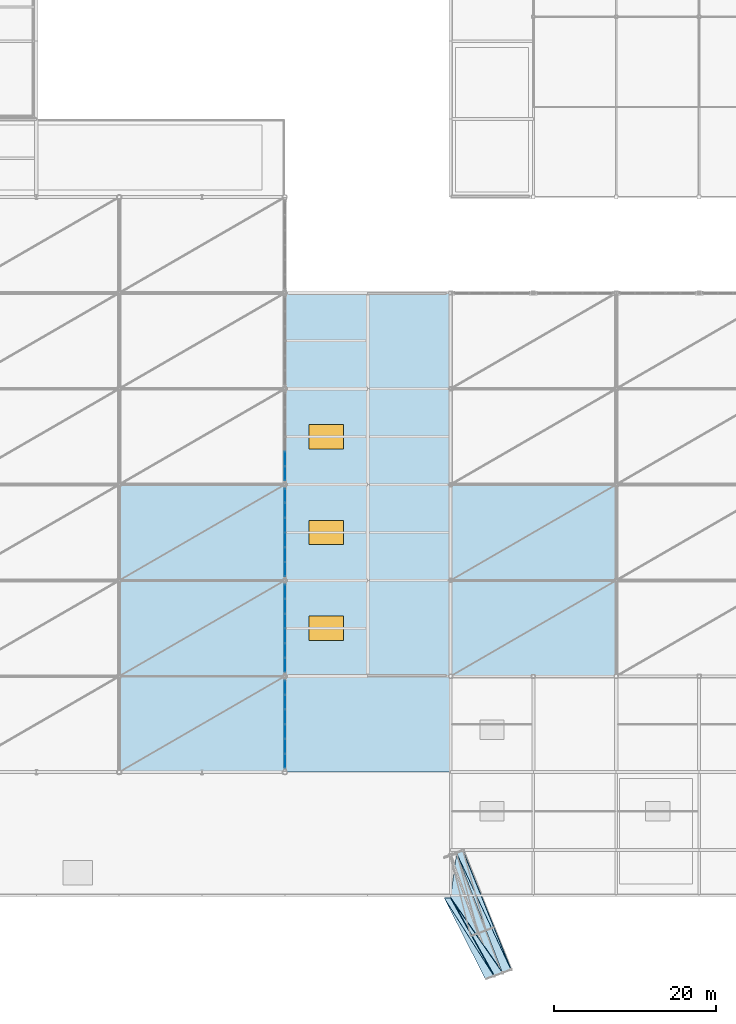
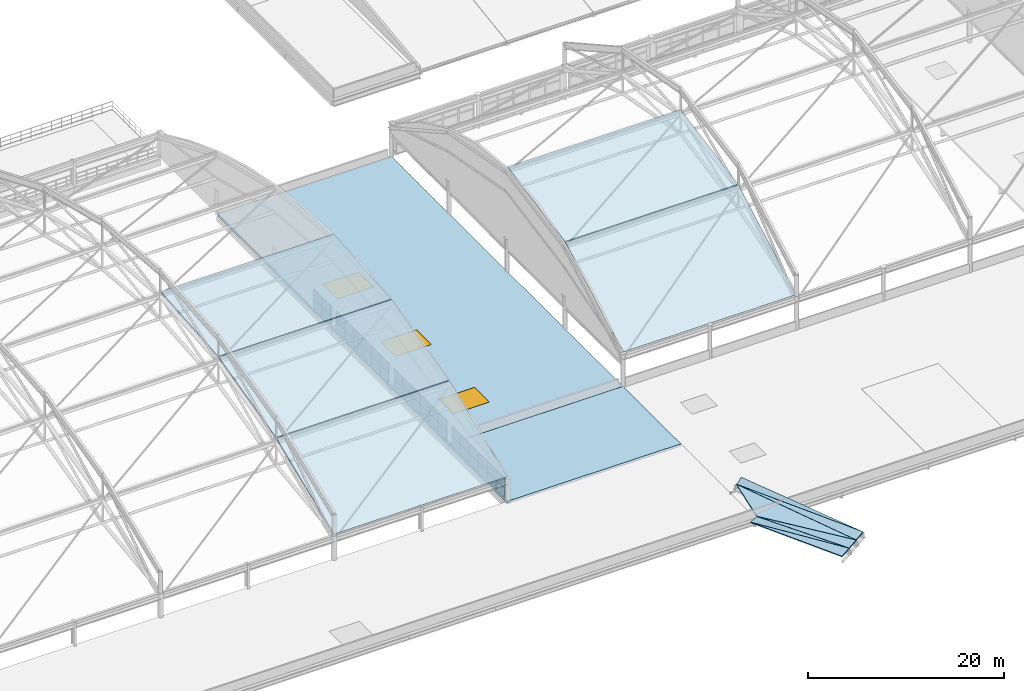
# One storey, part 110 of 135: 40 plates, 13 slabs, 3 windows, 3 openings, 4 elements without a shape of their own.
"""IFC4 building model written with IfcOpenShell, lengths in metres."""

import ifcopenshell
import ifcopenshell.guid

model = None  # the IFC model being written
_history = None  # IfcOwnerHistory: only IFC2X3 demands one
_inside = {}  # id of a spatial element -> (the spatial element, [elements in it])
_under = {}  # id of a project, library or spatial element -> (it, [spatial elements below it])
_declared = {}  # id of a project -> (the project, [libraries it declares])
_typed = {}  # id of a type object -> (the type object, [elements of that type])
_made_of = {}  # id of a material, layer set ... -> (it, [elements and type objects made of it])


def new_model(schema):
    """Start an empty IFC model of exactly this schema.

    Asked for "IFC4X3", IfcOpenShell would pick the latest addendum, in which some entities
    have other attributes; the version numbers below select the first issue.
    IFC2X3 requires an IfcOwnerHistory on every rooted entity: one is made here for all.
    """
    global model, _history
    if schema == "IFC4X3":
        model = ifcopenshell.file(schema_version=(4, 3, 0, 0))
    else:
        model = ifcopenshell.file(schema=schema)
    _inside.clear()
    _under.clear()
    _declared.clear()
    _typed.clear()
    _made_of.clear()
    _history = None
    if model.schema == "IFC2X3":
        org = make("IfcOrganization", Name="unknown")
        user = make(
            "IfcPersonAndOrganization",
            ThePerson=make("IfcPerson", FamilyName="unknown"),
            TheOrganization=org,
        )
        app = make(
            "IfcApplication",
            ApplicationDeveloper=org,
            Version="unknown",
            ApplicationFullName="unknown",
            ApplicationIdentifier="unknown",
        )
        _history = make(
            "IfcOwnerHistory",
            OwningUser=user,
            OwningApplication=app,
            ChangeAction="ADDED",
            CreationDate=0,
        )
    return model


def make(cls, **values):
    """One entity of the class cls with the attributes given. An attribute that is None is left unset."""
    return model.create_entity(
        cls, **{name: value for name, value in values.items() if value is not None}
    )


def rooted(cls, **values):
    """An entity with a GlobalId (a new one), such as an element, a storey or a relation."""
    return make(cls, GlobalId=ifcopenshell.guid.new(), OwnerHistory=_history, **values)


def si_unit(unit_type, name, prefix=None):
    """IfcSIUnit, for example si_unit("LENGTHUNIT", "METRE", prefix="MILLI")."""
    return make("IfcSIUnit", UnitType=unit_type, Prefix=prefix, Name=name)


def assignment(units):
    """IfcUnitAssignment: the units of a project."""
    return None if units is None else make("IfcUnitAssignment", Units=units)


def point(xyz):
    """IfcCartesianPoint."""
    return None if xyz is None else make("IfcCartesianPoint", Coordinates=xyz)


def direction(xyz):
    """IfcDirection."""
    return None if xyz is None else make("IfcDirection", DirectionRatios=xyz)


def frame(location, z_axis=None, x_axis=None):
    """IfcAxis2Placement3D, a coordinate frame: its origin and axes. An axis left out is left unset."""
    return make(
        "IfcAxis2Placement3D",
        Location=point(location),
        Axis=direction(z_axis),
        RefDirection=direction(x_axis),
    )


def frame_2d(location, x_axis=None):
    """IfcAxis2Placement2D, a coordinate frame in the plane: its origin and x axis."""
    return make(
        "IfcAxis2Placement2D", Location=point(location), RefDirection=direction(x_axis)
    )


def origin():
    """The frame at (0, 0, 0) with its axes left unset."""
    return frame((0.0, 0.0, 0.0))


def origin_2d():
    """The frame at (0, 0) in the plane with its x axis left unset."""
    return frame_2d((0.0, 0.0))


def place(relative_to, where):
    """IfcLocalPlacement: puts the frame where relative to a parent placement (None: the world)."""
    return make(
        "IfcLocalPlacement", PlacementRelTo=relative_to, RelativePlacement=where
    )


def context(
    kind, dimensions, precision=None, world=None, true_north=None, identifier=None
):
    """IfcGeometricRepresentationContext, for example the 3D "Model" context."""
    return make(
        "IfcGeometricRepresentationContext",
        ContextIdentifier=identifier,
        ContextType=kind,
        CoordinateSpaceDimension=dimensions,
        Precision=precision,
        WorldCoordinateSystem=world,
        TrueNorth=true_north,
    )


def subcontext(parent, identifier, kind, view, scale=None):
    """IfcGeometricRepresentationSubContext, for example "Body" below "Model"."""
    return make(
        "IfcGeometricRepresentationSubContext",
        ContextIdentifier=identifier,
        ContextType=kind,
        ParentContext=parent,
        TargetScale=scale,
        TargetView=view,
    )


def project(units=None, contexts=None):
    """IfcProject with its units and contexts."""
    return rooted(
        "IfcProject",
        Name="project",
        RepresentationContexts=contexts,
        UnitsInContext=assignment(units),
    )


def spatial(cls, under=None, at=None, **own):
    """A site, building, storey or space (cls), placed at a placement, below another one or the project."""
    s = rooted(cls, ObjectPlacement=at, **own)
    if under is not None:
        _under.setdefault(under.id(), (under, []))[1].append(s)
    return s


def polyline(points):
    """IfcPolyline through the points."""
    return make("IfcPolyline", Points=[point(p) for p in points])


def profile(cls, at=None, kind="AREA", **sizes):
    """A parametric profile (cls). Its sizes go by their IFC names, for example OverallWidth=200.0."""
    return make(cls, ProfileType=kind, Position=at, **sizes)


def rectangle(**sizes):
    """IfcRectangleProfileDef."""
    return profile("IfcRectangleProfileDef", **sizes)


def outline(outer, holes=None, kind="AREA"):
    """IfcArbitraryClosedProfileDef: a profile drawn as a closed curve; with holes, ...WithVoids."""
    if holes is None:
        return make("IfcArbitraryClosedProfileDef", ProfileType=kind, OuterCurve=outer)
    return make(
        "IfcArbitraryProfileDefWithVoids",
        ProfileType=kind,
        OuterCurve=outer,
        InnerCurves=holes,
    )


def extrude(swept, where, along, depth):
    """IfcExtrudedAreaSolid: the profile swept, set in the frame where, extruded along a direction by depth."""
    return make(
        "IfcExtrudedAreaSolid",
        SweptArea=swept,
        Position=where,
        ExtrudedDirection=direction(along),
        Depth=depth,
    )


def shape(context_of_items, identifier, shape_type, items):
    """IfcShapeRepresentation: the items that make up one representation, for example the "Body"."""
    return make(
        "IfcShapeRepresentation",
        ContextOfItems=context_of_items,
        RepresentationIdentifier=identifier,
        RepresentationType=shape_type,
        Items=items,
    )


def material(Name=None, Category=None):
    """IfcMaterial."""
    return make("IfcMaterial", Name=Name, Category=Category)


def layer(
    of_material, thickness, ventilated=None, Name=None, Category=None, Priority=None
):
    """IfcMaterialLayer: one layer of a wall or slab, of a material (None: an air gap)."""
    return make(
        "IfcMaterialLayer",
        Material=of_material,
        LayerThickness=thickness,
        IsVentilated=ventilated,
        Name=Name,
        Category=Category,
        Priority=Priority,
    )


def layer_set(layers, Name=None):
    """IfcMaterialLayerSet."""
    return make("IfcMaterialLayerSet", MaterialLayers=layers, LayerSetName=Name)


def made_of(thing, what):
    """Note that an element or type object is made of a material, layer set ...; save() writes the relation."""
    if what is not None:
        _made_of.setdefault(what.id(), (what, []))[1].append(thing)
    return thing


def type_object(cls, material=None, **own):
    """A type object (cls), such as IfcWallType, which elements share."""
    return made_of(rooted(cls, **own), material)


def element(
    cls,
    number,
    at=None,
    inside=None,
    cuts=None,
    type_object=None,
    material=None,
    context=None,
    identifier="Body",
    shape_type=None,
    held_by="IfcProductDefinitionShape",
    body=None,
    shapes=None,
    **own,
):
    """One element of the class cls, such as IfcWall. Its Tag is "e" and its number.

    at: its placement. inside: the storey or other place that contains it. cuts: it is an
    opening in that element (IfcRelVoidsElement). A single representation is given by context,
    identifier, shape_type and body (its items); several are given by shapes. held_by: the class
    of the entity that holds the representations. save() writes the other relations.
    """
    e = rooted(cls, Tag="e%d" % number, ObjectPlacement=at, **own)
    if body is not None:
        shapes = [shape(context, identifier, shape_type, body)]
    if shapes is not None:
        e.Representation = make(held_by, Representations=shapes)
    if inside is not None:
        _inside.setdefault(inside.id(), (inside, []))[1].append(e)
    if cuts is not None:
        rooted(
            "IfcRelVoidsElement", RelatingBuildingElement=cuts, RelatedOpeningElement=e
        )
    if type_object is not None:
        _typed.setdefault(type_object.id(), (type_object, []))[1].append(e)
    return made_of(e, material)


def fill(opening, filler):
    """IfcRelFillsElement: the door or window that sits in an opening."""
    return rooted(
        "IfcRelFillsElement",
        RelatingOpeningElement=opening,
        RelatedBuildingElement=filler,
    )


def aggregate(whole, parts):
    """IfcRelAggregates: a whole, such as a stair, and the parts it consists of."""
    return rooted("IfcRelAggregates", RelatingObject=whole, RelatedObjects=parts)


def save(model, path):
    """Write the relations noted so far, then the file.

    IfcRelAggregates (storeys below a building ...), IfcRelContainedInSpatialStructure (elements
    in a storey), IfcRelDefinesByType, IfcRelAssociatesMaterial and IfcRelDeclares: one each for
    every whole, place, type object, material and project.
    """
    for whole, parts in _under.values():
        aggregate(whole, parts)
    for where, things in _inside.values():
        rooted(
            "IfcRelContainedInSpatialStructure",
            RelatedElements=things,
            RelatingStructure=where,
        )
    for kind, things in _typed.values():
        rooted("IfcRelDefinesByType", RelatedObjects=things, RelatingType=kind)
    for what, things in _made_of.values():
        rooted("IfcRelAssociatesMaterial", RelatedObjects=things, RelatingMaterial=what)
    for by, libraries in _declared.values():
        rooted("IfcRelDeclares", RelatingContext=by, RelatedDefinitions=libraries)
    model.write(path)


model = new_model("IFC4")

# Units and contexts
model_context = context("Model", 3, precision=1e-05, world=origin(), true_north=direction((0.0, 1.0)))
body_context = subcontext(model_context, "Body", "Model", "MODEL_VIEW")
ifc_project = project(units=[si_unit("LENGTHUNIT", "METRE"), si_unit("AREAUNIT", "SQUARE_METRE"), si_unit("VOLUMEUNIT", "CUBIC_METRE"), si_unit("PLANEANGLEUNIT", "RADIAN"), si_unit("MASSUNIT", "GRAM", prefix="KILO")], contexts=[model_context])

# Site, building, storey
site_placement = place(None, origin())
site = spatial("IfcSite", under=ifc_project, at=site_placement, CompositionType="ELEMENT")
building_placement = place(site_placement, origin())
building = spatial("IfcBuilding", under=site, at=building_placement, Name="Brelvane Convention Centre", CompositionType="ELEMENT")
storey_placement = place(building_placement, frame((0.0, 0.0, 15.0)))
storey = spatial("IfcBuildingStorey", under=building, at=storey_placement, Name="L03", CompositionType="ELEMENT", Elevation=15.0)

# Curtain wall, plates
ifc_material_1 = material(Name="Anodised Aluminium Alloy 6063-T6", Category="aluminium")
curtain_wall_type = type_object("IfcCurtainWallType", Name="Curtain Wall CW-HULL-N", PredefinedType="USERDEFINED", material=ifc_material_1)
curtain_wall_1_placement = place(storey_placement, origin())
curtain_wall_1 = element("IfcCurtainWall", 1, at=curtain_wall_1_placement, inside=storey, type_object=curtain_wall_type, Name="Curtain Wall CW-HULL-N L03-EXH-E-CLER-1", ObjectType="UNITISED", PredefinedType="USERDEFINED")
ifc_material_2 = material(Name="Double Glazed Low-E Laminated Unit")
ifc_layer_1 = layer(ifc_material_2, 0.0380859375)
ifc_layer_set_1 = layer_set([ifc_layer_1], Name="Double Glazed Low-E Laminated Unit")
plate_type = type_object("IfcPlateType", Name="Curtain Panel CW-PG2", PredefinedType="CURTAIN_PANEL", material=ifc_layer_set_1)
plate_1_placement = place(storey_placement, frame((142.800048828125, 30.17822265625, 0.080078125), z_axis=(0.0, 0.0, 1.0), x_axis=(0.0, 1.0, 0.0)))
plate_1 = element("IfcPlate", 2, at=plate_1_placement, type_object=plate_type, Name="CW-HULL-N panel 1.1", PredefinedType="CURTAIN_PANEL", context=body_context, shape_type="SweptSolid", body=[
    extrude(rectangle(XDim=1.69677734375, YDim=0.0380859375, at=origin_2d()), origin(), (0.0, 0.0, 1.0), 1.179931640625),
])
plate_2_placement = place(storey_placement, frame((142.800048828125, 30.17822265625, 1.33984375), z_axis=(0.0, 0.0, 1.0), x_axis=(0.0, 1.0, 0.0)))
plate_2 = element("IfcPlate", 3, at=plate_2_placement, type_object=plate_type, Name="CW-HULL-N panel 1.2", PredefinedType="CURTAIN_PANEL", context=body_context, shape_type="SweptSolid", body=[
    extrude(rectangle(XDim=1.69677734375, YDim=0.0380859375, at=origin_2d()), origin(), (0.0, 0.0, 1.0), 1.179931640625),
])
plate_3_placement = place(storey_placement, frame((142.800048828125, 31.97509765625, 0.080078125), z_axis=(0.0, 0.0, 1.0), x_axis=(0.0, 1.0, 0.0)))
plate_3 = element("IfcPlate", 4, at=plate_3_placement, type_object=plate_type, Name="CW-HULL-N panel 2.1", PredefinedType="CURTAIN_PANEL", context=body_context, shape_type="SweptSolid", body=[
    extrude(rectangle(XDim=1.736572265625, YDim=0.0380859375, at=origin_2d()), origin(), (0.0, 0.0, 1.0), 1.179931640625),
])
plate_4_placement = place(storey_placement, frame((142.800048828125, 31.97509765625, 1.33984375), z_axis=(0.0, 0.0, 1.0), x_axis=(0.0, 1.0, 0.0)))
plate_4 = element("IfcPlate", 5, at=plate_4_placement, type_object=plate_type, Name="CW-HULL-N panel 2.2", PredefinedType="CURTAIN_PANEL", context=body_context, shape_type="SweptSolid", body=[
    extrude(rectangle(XDim=1.736572265625, YDim=0.0380859375, at=origin_2d()), origin(), (0.0, 0.0, 1.0), 1.179931640625),
])
plate_5_placement = place(storey_placement, frame((142.800048828125, 33.791748046875, 0.080078125), z_axis=(0.0, 0.0, 1.0), x_axis=(0.0, 1.0, 0.0)))
plate_5 = element("IfcPlate", 6, at=plate_5_placement, type_object=plate_type, Name="CW-HULL-N panel 3.1", PredefinedType="CURTAIN_PANEL", context=body_context, shape_type="SweptSolid", body=[
    extrude(rectangle(XDim=1.736572265625, YDim=0.0380859375, at=origin_2d()), origin(), (0.0, 0.0, 1.0), 1.179931640625),
])
plate_6_placement = place(storey_placement, frame((142.800048828125, 33.791748046875, 1.33984375), z_axis=(0.0, 0.0, 1.0), x_axis=(0.0, 1.0, 0.0)))
plate_6 = element("IfcPlate", 7, at=plate_6_placement, type_object=plate_type, Name="CW-HULL-N panel 3.2", PredefinedType="CURTAIN_PANEL", context=body_context, shape_type="SweptSolid", body=[
    extrude(rectangle(XDim=1.736572265625, YDim=0.0380859375, at=origin_2d()), origin(), (0.0, 0.0, 1.0), 1.179931640625),
])
plate_7_placement = place(storey_placement, frame((142.800048828125, 35.6083984375, 0.080078125), z_axis=(0.0, 0.0, 1.0), x_axis=(0.0, 1.0, 0.0)))
plate_7 = element("IfcPlate", 8, at=plate_7_placement, type_object=plate_type, Name="CW-HULL-N panel 4.1", PredefinedType="CURTAIN_PANEL", context=body_context, shape_type="SweptSolid", body=[
    extrude(rectangle(XDim=1.736572265625, YDim=0.0380859375, at=origin_2d()), origin(), (0.0, 0.0, 1.0), 1.179931640625),
])
plate_8_placement = place(storey_placement, frame((142.800048828125, 35.6083984375, 1.33984375), z_axis=(0.0, 0.0, 1.0), x_axis=(0.0, 1.0, 0.0)))
plate_8 = element("IfcPlate", 9, at=plate_8_placement, type_object=plate_type, Name="CW-HULL-N panel 4.2", PredefinedType="CURTAIN_PANEL", context=body_context, shape_type="SweptSolid", body=[
    extrude(rectangle(XDim=1.736572265625, YDim=0.0380859375, at=origin_2d()), origin(), (0.0, 0.0, 1.0), 1.179931640625),
])
plate_9_placement = place(storey_placement, frame((142.800048828125, 37.425048828125, 0.080078125), z_axis=(0.0, 0.0, 1.0), x_axis=(0.0, 1.0, 0.0)))
plate_9 = element("IfcPlate", 10, at=plate_9_placement, type_object=plate_type, Name="CW-HULL-N panel 5.1", PredefinedType="CURTAIN_PANEL", context=body_context, shape_type="SweptSolid", body=[
    extrude(rectangle(XDim=1.736572265625, YDim=0.0380859375, at=origin_2d()), origin(), (0.0, 0.0, 1.0), 1.179931640625),
])
plate_10_placement = place(storey_placement, frame((142.800048828125, 37.425048828125, 1.33984375), z_axis=(0.0, 0.0, 1.0), x_axis=(0.0, 1.0, 0.0)))
plate_10 = element("IfcPlate", 11, at=plate_10_placement, type_object=plate_type, Name="CW-HULL-N panel 5.2", PredefinedType="CURTAIN_PANEL", context=body_context, shape_type="SweptSolid", body=[
    extrude(rectangle(XDim=1.736572265625, YDim=0.0380859375, at=origin_2d()), origin(), (0.0, 0.0, 1.0), 1.179931640625),
])
plate_11_placement = place(storey_placement, frame((142.800048828125, 39.2216796875, 0.080078125), z_axis=(0.0, 0.0, 1.0), x_axis=(0.0, 1.0, 0.0)))
plate_11 = element("IfcPlate", 12, at=plate_11_placement, type_object=plate_type, Name="CW-HULL-N panel 6.1", PredefinedType="CURTAIN_PANEL", context=body_context, shape_type="SweptSolid", body=[
    extrude(rectangle(XDim=1.69677734375, YDim=0.0380859375, at=origin_2d()), origin(), (0.0, 0.0, 1.0), 1.179931640625),
])
plate_12_placement = place(storey_placement, frame((142.800048828125, 39.2216796875, 1.33984375), z_axis=(0.0, 0.0, 1.0), x_axis=(0.0, 1.0, 0.0)))
plate_12 = element("IfcPlate", 13, at=plate_12_placement, type_object=plate_type, Name="CW-HULL-N panel 6.2", PredefinedType="CURTAIN_PANEL", context=body_context, shape_type="SweptSolid", body=[
    extrude(rectangle(XDim=1.69677734375, YDim=0.0380859375, at=origin_2d()), origin(), (0.0, 0.0, 1.0), 1.179931640625),
])
aggregate(curtain_wall_1, [plate_1, plate_2, plate_3, plate_4, plate_5, plate_6, plate_7, plate_8, plate_9, plate_10, plate_11, plate_12])

curtain_wall_2_placement = place(storey_placement, origin())
curtain_wall_2 = element("IfcCurtainWall", 14, at=curtain_wall_2_placement, inside=storey, type_object=curtain_wall_type, Name="Curtain Wall CW-HULL-N L03-EXH-E-CLER-2", ObjectType="UNITISED", PredefinedType="USERDEFINED")
plate_13_placement = place(storey_placement, frame((142.800048828125, 41.978271484375, 0.080078125), z_axis=(0.0, 0.0, 1.0), x_axis=(0.0, 1.0, 0.0)))
plate_13 = element("IfcPlate", 15, at=plate_13_placement, type_object=plate_type, Name="CW-HULL-N panel 1.1", PredefinedType="CURTAIN_PANEL", context=body_context, shape_type="SweptSolid", body=[
    extrude(rectangle(XDim=1.69677734375, YDim=0.0380859375, at=origin_2d()), origin(), (0.0, 0.0, 1.0), 1.179931640625),
])
plate_14_placement = place(storey_placement, frame((142.800048828125, 41.978271484375, 1.33984375), z_axis=(0.0, 0.0, 1.0), x_axis=(0.0, 1.0, 0.0)))
plate_14 = element("IfcPlate", 16, at=plate_14_placement, type_object=plate_type, Name="CW-HULL-N panel 1.2", PredefinedType="CURTAIN_PANEL", context=body_context, shape_type="SweptSolid", body=[
    extrude(rectangle(XDim=1.69677734375, YDim=0.0380859375, at=origin_2d()), origin(), (0.0, 0.0, 1.0), 1.179931640625),
])
plate_15_placement = place(storey_placement, frame((142.800048828125, 43.77490234375, 0.080078125), z_axis=(0.0, 0.0, 1.0), x_axis=(0.0, 1.0, 0.0)))
plate_15 = element("IfcPlate", 17, at=plate_15_placement, type_object=plate_type, Name="CW-HULL-N panel 2.1", PredefinedType="CURTAIN_PANEL", context=body_context, shape_type="SweptSolid", body=[
    extrude(rectangle(XDim=1.736572265625, YDim=0.0380859375, at=origin_2d()), origin(), (0.0, 0.0, 1.0), 1.179931640625),
])
plate_16_placement = place(storey_placement, frame((142.800048828125, 43.77490234375, 1.33984375), z_axis=(0.0, 0.0, 1.0), x_axis=(0.0, 1.0, 0.0)))
plate_16 = element("IfcPlate", 18, at=plate_16_placement, type_object=plate_type, Name="CW-HULL-N panel 2.2", PredefinedType="CURTAIN_PANEL", context=body_context, shape_type="SweptSolid", body=[
    extrude(rectangle(XDim=1.736572265625, YDim=0.0380859375, at=origin_2d()), origin(), (0.0, 0.0, 1.0), 1.179931640625),
])
plate_17_placement = place(storey_placement, frame((142.800048828125, 45.591552734375, 0.080078125), z_axis=(0.0, 0.0, 1.0), x_axis=(0.0, 1.0, 0.0)))
plate_17 = element("IfcPlate", 19, at=plate_17_placement, type_object=plate_type, Name="CW-HULL-N panel 3.1", PredefinedType="CURTAIN_PANEL", context=body_context, shape_type="SweptSolid", body=[
    extrude(rectangle(XDim=1.736572265625, YDim=0.0380859375, at=origin_2d()), origin(), (0.0, 0.0, 1.0), 1.179931640625),
])
plate_18_placement = place(storey_placement, frame((142.800048828125, 45.591552734375, 1.33984375), z_axis=(0.0, 0.0, 1.0), x_axis=(0.0, 1.0, 0.0)))
plate_18 = element("IfcPlate", 20, at=plate_18_placement, type_object=plate_type, Name="CW-HULL-N panel 3.2", PredefinedType="CURTAIN_PANEL", context=body_context, shape_type="SweptSolid", body=[
    extrude(rectangle(XDim=1.736572265625, YDim=0.0380859375, at=origin_2d()), origin(), (0.0, 0.0, 1.0), 1.179931640625),
])
plate_19_placement = place(storey_placement, frame((142.800048828125, 47.408447265625, 0.080078125), z_axis=(0.0, 0.0, 1.0), x_axis=(0.0, 1.0, 0.0)))
plate_19 = element("IfcPlate", 21, at=plate_19_placement, type_object=plate_type, Name="CW-HULL-N panel 4.1", PredefinedType="CURTAIN_PANEL", context=body_context, shape_type="SweptSolid", body=[
    extrude(rectangle(XDim=1.736572265625, YDim=0.0380859375, at=origin_2d()), origin(), (0.0, 0.0, 1.0), 1.179931640625),
])
plate_20_placement = place(storey_placement, frame((142.800048828125, 47.408447265625, 1.33984375), z_axis=(0.0, 0.0, 1.0), x_axis=(0.0, 1.0, 0.0)))
plate_20 = element("IfcPlate", 22, at=plate_20_placement, type_object=plate_type, Name="CW-HULL-N panel 4.2", PredefinedType="CURTAIN_PANEL", context=body_context, shape_type="SweptSolid", body=[
    extrude(rectangle(XDim=1.736572265625, YDim=0.0380859375, at=origin_2d()), origin(), (0.0, 0.0, 1.0), 1.179931640625),
])
plate_21_placement = place(storey_placement, frame((142.800048828125, 49.22509765625, 0.080078125), z_axis=(0.0, 0.0, 1.0), x_axis=(0.0, 1.0, 0.0)))
plate_21 = element("IfcPlate", 23, at=plate_21_placement, type_object=plate_type, Name="CW-HULL-N panel 5.1", PredefinedType="CURTAIN_PANEL", context=body_context, shape_type="SweptSolid", body=[
    extrude(rectangle(XDim=1.736572265625, YDim=0.0380859375, at=origin_2d()), origin(), (0.0, 0.0, 1.0), 1.179931640625),
])
plate_22_placement = place(storey_placement, frame((142.800048828125, 49.22509765625, 1.33984375), z_axis=(0.0, 0.0, 1.0), x_axis=(0.0, 1.0, 0.0)))
plate_22 = element("IfcPlate", 24, at=plate_22_placement, type_object=plate_type, Name="CW-HULL-N panel 5.2", PredefinedType="CURTAIN_PANEL", context=body_context, shape_type="SweptSolid", body=[
    extrude(rectangle(XDim=1.736572265625, YDim=0.0380859375, at=origin_2d()), origin(), (0.0, 0.0, 1.0), 1.179931640625),
])
plate_23_placement = place(storey_placement, frame((142.800048828125, 51.021728515625, 0.080078125), z_axis=(0.0, 0.0, 1.0), x_axis=(0.0, 1.0, 0.0)))
plate_23 = element("IfcPlate", 25, at=plate_23_placement, type_object=plate_type, Name="CW-HULL-N panel 6.1", PredefinedType="CURTAIN_PANEL", context=body_context, shape_type="SweptSolid", body=[
    extrude(rectangle(XDim=1.69677734375, YDim=0.0380859375, at=origin_2d()), origin(), (0.0, 0.0, 1.0), 1.179931640625),
])
plate_24_placement = place(storey_placement, frame((142.800048828125, 51.021728515625, 1.33984375), z_axis=(0.0, 0.0, 1.0), x_axis=(0.0, 1.0, 0.0)))
plate_24 = element("IfcPlate", 26, at=plate_24_placement, type_object=plate_type, Name="CW-HULL-N panel 6.2", PredefinedType="CURTAIN_PANEL", context=body_context, shape_type="SweptSolid", body=[
    extrude(rectangle(XDim=1.69677734375, YDim=0.0380859375, at=origin_2d()), origin(), (0.0, 0.0, 1.0), 1.179931640625),
])
aggregate(curtain_wall_2, [plate_13, plate_14, plate_15, plate_16, plate_17, plate_18, plate_19, plate_20, plate_21, plate_22, plate_23, plate_24])

curtain_wall_3_placement = place(storey_placement, origin())
curtain_wall_3 = element("IfcCurtainWall", 27, at=curtain_wall_3_placement, inside=storey, type_object=curtain_wall_type, Name="Curtain Wall CW-HULL-N L03-EXH-E-CLER-3", ObjectType="UNITISED", PredefinedType="USERDEFINED")
plate_25_placement = place(storey_placement, frame((142.800048828125, 53.7783203125, 0.080078125), z_axis=(0.0, 0.0, 1.0), x_axis=(0.0, 1.0, 0.0)))
plate_25 = element("IfcPlate", 28, at=plate_25_placement, type_object=plate_type, Name="CW-HULL-N panel 1.1", PredefinedType="CURTAIN_PANEL", context=body_context, shape_type="SweptSolid", body=[
    extrude(rectangle(XDim=1.69677734375, YDim=0.0380859375, at=origin_2d()), origin(), (0.0, 0.0, 1.0), 1.179931640625),
])
plate_26_placement = place(storey_placement, frame((142.800048828125, 53.7783203125, 1.33984375), z_axis=(0.0, 0.0, 1.0), x_axis=(0.0, 1.0, 0.0)))
plate_26 = element("IfcPlate", 29, at=plate_26_placement, type_object=plate_type, Name="CW-HULL-N panel 1.2", PredefinedType="CURTAIN_PANEL", context=body_context, shape_type="SweptSolid", body=[
    extrude(rectangle(XDim=1.69677734375, YDim=0.0380859375, at=origin_2d()), origin(), (0.0, 0.0, 1.0), 1.179931640625),
])
plate_27_placement = place(storey_placement, frame((142.800048828125, 55.574951171875, 0.080078125), z_axis=(0.0, 0.0, 1.0), x_axis=(0.0, 1.0, 0.0)))
plate_27 = element("IfcPlate", 30, at=plate_27_placement, type_object=plate_type, Name="CW-HULL-N panel 2.1", PredefinedType="CURTAIN_PANEL", context=body_context, shape_type="SweptSolid", body=[
    extrude(rectangle(XDim=1.736572265625, YDim=0.0380859375, at=origin_2d()), origin(), (0.0, 0.0, 1.0), 1.179931640625),
])
plate_28_placement = place(storey_placement, frame((142.800048828125, 55.574951171875, 1.33984375), z_axis=(0.0, 0.0, 1.0), x_axis=(0.0, 1.0, 0.0)))
plate_28 = element("IfcPlate", 31, at=plate_28_placement, type_object=plate_type, Name="CW-HULL-N panel 2.2", PredefinedType="CURTAIN_PANEL", context=body_context, shape_type="SweptSolid", body=[
    extrude(rectangle(XDim=1.736572265625, YDim=0.0380859375, at=origin_2d()), origin(), (0.0, 0.0, 1.0), 1.179931640625),
])
plate_29_placement = place(storey_placement, frame((142.800048828125, 57.3916015625, 0.080078125), z_axis=(0.0, 0.0, 1.0), x_axis=(0.0, 1.0, 0.0)))
plate_29 = element("IfcPlate", 32, at=plate_29_placement, type_object=plate_type, Name="CW-HULL-N panel 3.1", PredefinedType="CURTAIN_PANEL", context=body_context, shape_type="SweptSolid", body=[
    extrude(rectangle(XDim=1.736572265625, YDim=0.0380859375, at=origin_2d()), origin(), (0.0, 0.0, 1.0), 1.179931640625),
])
plate_30_placement = place(storey_placement, frame((142.800048828125, 57.3916015625, 1.33984375), z_axis=(0.0, 0.0, 1.0), x_axis=(0.0, 1.0, 0.0)))
plate_30 = element("IfcPlate", 33, at=plate_30_placement, type_object=plate_type, Name="CW-HULL-N panel 3.2", PredefinedType="CURTAIN_PANEL", context=body_context, shape_type="SweptSolid", body=[
    extrude(rectangle(XDim=1.736572265625, YDim=0.0380859375, at=origin_2d()), origin(), (0.0, 0.0, 1.0), 1.179931640625),
])
plate_31_placement = place(storey_placement, frame((142.800048828125, 59.208251953125, 0.080078125), z_axis=(0.0, 0.0, 1.0), x_axis=(0.0, 1.0, 0.0)))
plate_31 = element("IfcPlate", 34, at=plate_31_placement, type_object=plate_type, Name="CW-HULL-N panel 4.1", PredefinedType="CURTAIN_PANEL", context=body_context, shape_type="SweptSolid", body=[
    extrude(rectangle(XDim=1.736572265625, YDim=0.0380859375, at=origin_2d()), origin(), (0.0, 0.0, 1.0), 1.179931640625),
])
plate_32_placement = place(storey_placement, frame((142.800048828125, 59.208251953125, 1.33984375), z_axis=(0.0, 0.0, 1.0), x_axis=(0.0, 1.0, 0.0)))
plate_32 = element("IfcPlate", 35, at=plate_32_placement, type_object=plate_type, Name="CW-HULL-N panel 4.2", PredefinedType="CURTAIN_PANEL", context=body_context, shape_type="SweptSolid", body=[
    extrude(rectangle(XDim=1.736572265625, YDim=0.0380859375, at=origin_2d()), origin(), (0.0, 0.0, 1.0), 1.179931640625),
])
plate_33_placement = place(storey_placement, frame((142.800048828125, 61.02490234375, 0.080078125), z_axis=(0.0, 0.0, 1.0), x_axis=(0.0, 1.0, 0.0)))
plate_33 = element("IfcPlate", 36, at=plate_33_placement, type_object=plate_type, Name="CW-HULL-N panel 5.1", PredefinedType="CURTAIN_PANEL", context=body_context, shape_type="SweptSolid", body=[
    extrude(rectangle(XDim=1.736572265625, YDim=0.0380859375, at=origin_2d()), origin(), (0.0, 0.0, 1.0), 1.179931640625),
])
plate_34_placement = place(storey_placement, frame((142.800048828125, 61.02490234375, 1.33984375), z_axis=(0.0, 0.0, 1.0), x_axis=(0.0, 1.0, 0.0)))
plate_34 = element("IfcPlate", 37, at=plate_34_placement, type_object=plate_type, Name="CW-HULL-N panel 5.2", PredefinedType="CURTAIN_PANEL", context=body_context, shape_type="SweptSolid", body=[
    extrude(rectangle(XDim=1.736572265625, YDim=0.0380859375, at=origin_2d()), origin(), (0.0, 0.0, 1.0), 1.179931640625),
])
plate_35_placement = place(storey_placement, frame((142.800048828125, 62.82177734375, 0.080078125), z_axis=(0.0, 0.0, 1.0), x_axis=(0.0, 1.0, 0.0)))
plate_35 = element("IfcPlate", 38, at=plate_35_placement, type_object=plate_type, Name="CW-HULL-N panel 6.1", PredefinedType="CURTAIN_PANEL", context=body_context, shape_type="SweptSolid", body=[
    extrude(rectangle(XDim=1.69677734375, YDim=0.0380859375, at=origin_2d()), origin(), (0.0, 0.0, 1.0), 1.179931640625),
])
plate_36_placement = place(storey_placement, frame((142.800048828125, 62.82177734375, 1.33984375), z_axis=(0.0, 0.0, 1.0), x_axis=(0.0, 1.0, 0.0)))
plate_36 = element("IfcPlate", 39, at=plate_36_placement, type_object=plate_type, Name="CW-HULL-N panel 6.2", PredefinedType="CURTAIN_PANEL", context=body_context, shape_type="SweptSolid", body=[
    extrude(rectangle(XDim=1.69677734375, YDim=0.0380859375, at=origin_2d()), origin(), (0.0, 0.0, 1.0), 1.179931640625),
])
aggregate(curtain_wall_3, [plate_25, plate_26, plate_27, plate_28, plate_29, plate_30, plate_31, plate_32, plate_33, plate_34, plate_35, plate_36])

curtain_wall_4_placement = place(storey_placement, origin())
curtain_wall_4 = element("IfcCurtainWall", 40, at=curtain_wall_4_placement, inside=storey, type_object=curtain_wall_type, Name="Curtain Wall CW-HULL-N L03-EXH-E-CLER-4", ObjectType="UNITISED", PredefinedType="USERDEFINED")
plate_37_placement = place(storey_placement, frame((142.800048828125, 65.578369140625, 0.080078125), z_axis=(0.0, 0.0, 1.0), x_axis=(0.0, 1.0, 0.0)))
plate_37 = element("IfcPlate", 41, at=plate_37_placement, type_object=plate_type, Name="CW-HULL-N panel 1.1", PredefinedType="CURTAIN_PANEL", context=body_context, shape_type="SweptSolid", body=[
    extrude(rectangle(XDim=1.69677734375, YDim=0.0380859375, at=origin_2d()), origin(), (0.0, 0.0, 1.0), 1.179931640625),
])
plate_38_placement = place(storey_placement, frame((142.800048828125, 65.578369140625, 1.33984375), z_axis=(0.0, 0.0, 1.0), x_axis=(0.0, 1.0, 0.0)))
plate_38 = element("IfcPlate", 42, at=plate_38_placement, type_object=plate_type, Name="CW-HULL-N panel 1.2", PredefinedType="CURTAIN_PANEL", context=body_context, shape_type="SweptSolid", body=[
    extrude(rectangle(XDim=1.69677734375, YDim=0.0380859375, at=origin_2d()), origin(), (0.0, 0.0, 1.0), 1.179931640625),
])
plate_39_placement = place(storey_placement, frame((142.800048828125, 67.375, 0.080078125), z_axis=(0.0, 0.0, 1.0), x_axis=(0.0, 1.0, 0.0)))
plate_39 = element("IfcPlate", 43, at=plate_39_placement, type_object=plate_type, Name="CW-HULL-N panel 2.1", PredefinedType="CURTAIN_PANEL", context=body_context, shape_type="SweptSolid", body=[
    extrude(rectangle(XDim=1.736572265625, YDim=0.0380859375, at=origin_2d()), origin(), (0.0, 0.0, 1.0), 1.179931640625),
])
plate_40_placement = place(storey_placement, frame((142.800048828125, 67.375, 1.33984375), z_axis=(0.0, 0.0, 1.0), x_axis=(0.0, 1.0, 0.0)))
plate_40 = element("IfcPlate", 44, at=plate_40_placement, type_object=plate_type, Name="CW-HULL-N panel 2.2", PredefinedType="CURTAIN_PANEL", context=body_context, shape_type="SweptSolid", body=[
    extrude(rectangle(XDim=1.736572265625, YDim=0.0380859375, at=origin_2d()), origin(), (0.0, 0.0, 1.0), 1.179931640625),
])
aggregate(curtain_wall_4, [plate_37, plate_38, plate_39, plate_40])

# Slab
ifc_material_3 = material(Name="Concrete M40", Category="concrete")
ifc_layer_2 = layer(ifc_material_3, 0.300048828125)
ifc_layer_set_2 = layer_set([ifc_layer_2], Name="Concrete M40")
slab_type_1 = type_object("IfcSlabType", Name="Structural Slab SL-ROOF-230", PredefinedType="ROOF", material=ifc_layer_set_2)
slab_1_placement = place(storey_placement, frame((0.0, 0.0, -0.300048828125)))
element("IfcSlab", 45, at=slab_1_placement, inside=storey, type_object=slab_type_1, Name="L03 LowRoof Slab SPINE-S-ROOF", PredefinedType="ROOF", context=body_context, shape_type="SweptSolid", body=[
    extrude(outline(polyline([(142.800048828125, 28.800048828125), (163.199951171875, 28.800048828125), (163.199951171875, 40.60009765625), (142.800048828125, 40.60009765625), (142.800048828125, 28.800048828125)])), origin(), (0.0, 0.0, 1.0), 0.300048828125),
])

# Slab, openings, windows
slab_2_placement = place(storey_placement, frame((0.0, 0.0, -0.300048828125)))
slab_2 = element("IfcSlab", 46, at=slab_2_placement, inside=storey, type_object=slab_type_1, Name="L03 LowRoof Slab SPINE-ROOF", PredefinedType="ROOF", context=body_context, shape_type="SweptSolid", body=[
    extrude(outline(polyline([(142.800048828125, 40.60009765625), (163.199951171875, 40.60009765625), (163.199951171875, 87.800048828125), (142.800048828125, 87.800048828125), (142.800048828125, 40.60009765625)])), origin(), (0.0, 0.0, 1.0), 0.300048828125),
])
opening_1_placement = place(slab_2_placement, frame((147.89990234375, 46.5, 0.0)))
opening_1 = element("IfcOpeningElement", 47, at=opening_1_placement, cuts=slab_2, Name="Opening SK-03", PredefinedType="OPENING", context=body_context, shape_type="SweptSolid", body=[
    extrude(rectangle(XDim=4.199951171875, YDim=3.0, at=origin_2d()), origin(), (0.0, 0.0, 1.0), 0.300048828125),
])
opening_2_placement = place(slab_2_placement, frame((147.89990234375, 58.300048828125, 0.0)))
opening_2 = element("IfcOpeningElement", 48, at=opening_2_placement, cuts=slab_2, Name="Opening SK-03", PredefinedType="OPENING", context=body_context, shape_type="SweptSolid", body=[
    extrude(rectangle(XDim=4.199951171875, YDim=3.0, at=origin_2d()), origin(), (0.0, 0.0, 1.0), 0.300048828125),
])
opening_3_placement = place(slab_2_placement, frame((147.89990234375, 70.10009765625, 0.0)))
opening_3 = element("IfcOpeningElement", 49, at=opening_3_placement, cuts=slab_2, Name="Opening SK-03", PredefinedType="OPENING", context=body_context, shape_type="SweptSolid", body=[
    extrude(rectangle(XDim=4.199951171875, YDim=3.0, at=origin_2d()), origin(), (0.0, 0.0, 1.0), 0.300048828125),
])
ifc_material_4 = material(Name="Double Glazed Low-E Laminated Unit")
window_type = type_object("IfcWindowType", Name="Window SK-03", PartitioningType="DOUBLE_PANEL_HORIZONTAL", PredefinedType="SKYLIGHT", material=ifc_material_4)
window_1_placement = place(opening_1_placement, frame((0.0, 0.0, 0.25)))
window_1 = element("IfcWindow", 50, at=window_1_placement, inside=storey, type_object=window_type, Name="Roof Skylight L03-SK05", OverallHeight=3.0, OverallWidth=4.199951171875, PartitioningType="SINGLE_PANEL", PredefinedType="SKYLIGHT", context=body_context, shape_type="SweptSolid", body=[
    extrude(rectangle(XDim=4.199951171875, YDim=3.0, at=origin_2d()), origin(), (0.0, 0.0, 1.0), 0.050048828125),
])
fill(opening_1, window_1)
window_2_placement = place(opening_2_placement, frame((0.0, 0.0, 0.25)))
window_2 = element("IfcWindow", 51, at=window_2_placement, inside=storey, type_object=window_type, Name="Roof Skylight L03-SK06", OverallHeight=3.0, OverallWidth=4.199951171875, PartitioningType="SINGLE_PANEL", PredefinedType="SKYLIGHT", context=body_context, shape_type="SweptSolid", body=[
    extrude(rectangle(XDim=4.199951171875, YDim=3.0, at=origin_2d()), origin(), (0.0, 0.0, 1.0), 0.050048828125),
])
fill(opening_2, window_2)
window_3_placement = place(opening_3_placement, frame((0.0, 0.0, 0.25)))
window_3 = element("IfcWindow", 52, at=window_3_placement, inside=storey, type_object=window_type, Name="Roof Skylight L03-SK07", OverallHeight=3.0, OverallWidth=4.199951171875, PartitioningType="SINGLE_PANEL", PredefinedType="SKYLIGHT", context=body_context, shape_type="SweptSolid", body=[
    extrude(rectangle(XDim=4.199951171875, YDim=3.0, at=origin_2d()), origin(), (0.0, 0.0, 1.0), 0.050048828125),
])
fill(opening_3, window_3)

# Slabs
ifc_material_5 = material(Name="Steel E350 (350 MPa)", Category="steel")
ifc_layer_3 = layer(ifc_material_5, 0.159912109375)
ifc_layer_set_3 = layer_set([ifc_layer_3], Name="Steel E350 (350 MPa)")
slab_type_2 = type_object("IfcSlabType", Name="Structural Slab SL-ROOF-CN-160", PredefinedType="ROOF", material=ifc_layer_set_3)
slab_3_placement = place(storey_placement, frame((164.72216796875, 19.10498046875, 1.19873046875), z_axis=(-0.411840251025, -0.166386427333, 0.895937031512), x_axis=(0.374678618025, -0.92715475031, 4.6621147e-05)))
element("IfcSlab", 53, at=slab_3_placement, inside=storey, type_object=slab_type_2, Name="Boulevard Sweeping Canopy Roof Panel 00A", PredefinedType="ROOF", context=body_context, shape_type="SweptSolid", body=[
    extrude(outline(polyline([(0.0, 0.0), (15.710078412758106, -1.6550346162991225e-16), (-0.008002185247655275, -0.915153265748343), (0.0, 0.0)])), origin(), (0.0, 0.0, -1.0), 0.159912109375),
])
slab_4_placement = place(storey_placement, frame((170.6044921875, 4.537353515625, 1.19775390625), z_axis=(-0.321019430047, -0.122815246494, 0.939075577768), x_axis=(-0.87400507018, -0.343491836745, -0.343698262128)))
element("IfcSlab", 54, at=slab_4_placement, inside=storey, type_object=slab_type_2, Name="Boulevard Sweeping Canopy Roof Panel 00B", PredefinedType="ROOF", context=body_context, shape_type="SweptSolid", body=[
    extrude(outline(polyline([(0.0, 0.0), (1.1827064184393183, -7.632783294297951e-17), (1.0510778318374792, -15.709695021484352), (0.0, 0.0)])), origin(), (0.0, 0.0, -1.0), 0.159912109375),
])
slab_5_placement = place(storey_placement, frame((163.9482421875, 18.80126953125, 0.7890625), z_axis=(-0.142335405538, -0.054457043984, 0.988319312111), x_axis=(0.357430135766, -0.933939879117, 1.5539765e-05)))
element("IfcSlab", 55, at=slab_5_placement, inside=storey, type_object=slab_type_2, Name="Boulevard Sweeping Canopy Roof Panel 01A", PredefinedType="ROOF", context=body_context, shape_type="SweptSolid", body=[
    extrude(outline(polyline([(0.0, 0.0), (15.710702466605666, 2.6272929144754986e-16), (4.844080409338038, -2.6838455967852783), (0.0, 0.0)])), origin(), (0.0, 0.0, -1.0), 0.159912109375),
])
slab_6_placement = place(storey_placement, frame((169.554931640625, 4.12255859375, 0.786865234375), z_axis=(-0.306428662339, -0.170522942491, 0.936495275472), x_axis=(-0.879777789617, -0.324901482719, -0.34703035519)))
element("IfcSlab", 56, at=slab_6_placement, inside=storey, type_object=slab_type_2, Name="Boulevard Sweeping Canopy Roof Panel 01B", PredefinedType="ROOF", context=body_context, shape_type="SweptSolid", body=[
    extrude(outline(polyline([(0.0, 0.0), (1.1804960650370775, 0.0), (2.7599173753184076, -10.842175955339023), (0.0, 0.0)])), origin(), (0.0, 0.0, -1.0), 0.159912109375),
])
slab_7_placement = place(storey_placement, frame((163.181884765625, 13.309326171875, 0.373779296875), z_axis=(-0.457485027107, -0.254579597799, 0.851995703251), x_axis=(0.486384386354, -0.873744940338, 8.9130362e-05)))
element("IfcSlab", 57, at=slab_7_placement, inside=storey, type_object=slab_type_2, Name="Boulevard Sweeping Canopy Roof Panel 02A", PredefinedType="ROOF", context=body_context, shape_type="SweptSolid", body=[
    extrude(outline(polyline([(0.0, 0.0), (10.95656380429759, 1.1123914289701275e-16), (-0.37985121217015694, -0.7908119894562189), (0.0, 0.0)])), origin(), (0.0, 0.0, -1.0), 0.159912109375),
])
slab_8_placement = place(storey_placement, frame((168.506591796875, 3.73291015625, 0.372314453125), z_axis=(-0.314715917895, -0.159986115262, 0.935605864639), x_axis=(-0.884465263054, -0.308313480677, -0.350234201761)))
element("IfcSlab", 58, at=slab_8_placement, inside=storey, type_object=slab_type_2, Name="Boulevard Sweeping Canopy Roof Panel 02B", PredefinedType="ROOF", context=body_context, shape_type="SweptSolid", body=[
    extrude(outline(polyline([(0.0, 0.0), (1.1822446177975778, -6.591949208711867e-17), (2.589337532501907, -11.065180136957824), (0.0, 0.0)])), origin(), (0.0, 0.0, -1.0), 0.159912109375),
])
ifc_material_6 = material(Name="Steel E350 (350 MPa)", Category="steel")
ifc_layer_4 = layer(ifc_material_6, 0.179931640625)
ifc_layer_set_4 = layer_set([ifc_layer_4], Name="Steel E350 (350 MPa)")
slab_type_3 = type_object("IfcSlabType", Name="Structural Slab SL-ROOF-SF-180", PredefinedType="ROOF", material=ifc_layer_set_4)
slab_9_placement = place(storey_placement, frame((122.419921875, 28.840087890625, 3.02001953125), z_axis=(0.0, -0.382743847584, 0.923854505394), x_axis=(1.0, 0.0, 0.0)))
element("IfcSlab", 59, at=slab_9_placement, inside=storey, type_object=slab_type_3, Name="SF_EXH Space-Frame Roof Panel B7-F1", PredefinedType="ROOF", context=body_context, shape_type="SweptSolid", body=[
    extrude(outline(polyline([(0.0, 0.0), (20.360107421875, 0.0), (20.360107421875, 12.685948528365344), (0.0, 12.685948528365344), (0.0, 0.0)])), origin(), (0.0, 0.0, -1.0), 0.179931640625),
])
slab_10_placement = place(storey_placement, frame((122.419921875, 40.639892578125, 7.902099609375), z_axis=(0.0, -0.241251137104, 0.970462718937), x_axis=(1.0, 0.0, 0.0)))
element("IfcSlab", 60, at=slab_10_placement, inside=storey, type_object=slab_type_3, Name="SF_EXH Space-Frame Roof Panel B7-F2", PredefinedType="ROOF", context=body_context, shape_type="SweptSolid", body=[
    extrude(outline(polyline([(0.0, 0.0), (20.360107421875, 0.0), (20.360107421875, 12.07693465709832), (0.0, 12.07693465709832), (0.0, 0.0)])), origin(), (0.0, 0.0, -1.0), 0.179931640625),
])
slab_11_placement = place(storey_placement, frame((122.419921875, 52.43994140625, 10.828857421875), z_axis=(0.0, -0.082583310202, 0.996584164472), x_axis=(1.0, 0.0, 0.0)))
element("IfcSlab", 61, at=slab_11_placement, inside=storey, type_object=slab_type_3, Name="SF_EXH Space-Frame Roof Panel B7-F3", PredefinedType="ROOF", context=body_context, shape_type="SweptSolid", body=[
    extrude(outline(polyline([(0.0, 0.0), (20.360107421875, 0.0), (20.360107421875, 11.760141411976395), (0.0, 11.760141411976395), (0.0, 0.0)])), origin(), (0.0, 0.0, -1.0), 0.179931640625),
])
slab_12_placement = place(storey_placement, frame((163.219970703125, 40.639892578125, 4.229736328125), z_axis=(0.0, -0.488155443769, 0.87275670305), x_axis=(1.0, 0.0, 0.0)))
element("IfcSlab", 62, at=slab_12_placement, inside=storey, type_object=slab_type_3, Name="SF_PLEN Space-Frame Roof Panel B1-F1", PredefinedType="ROOF", context=body_context, shape_type="SweptSolid", body=[
    extrude(outline(polyline([(0.0, 0.0), (20.360107421875, 0.0), (20.360107421875, 13.428959987123854), (0.0, 13.428959987123854), (0.0, 0.0)])), origin(), (0.0, 0.0, -1.0), 0.179931640625),
])
slab_13_placement = place(storey_placement, frame((163.219970703125, 52.43994140625, 10.81494140625), z_axis=(0.0, -0.183280751466, 0.983060611632), x_axis=(1.0, 0.0, 0.0)))
element("IfcSlab", 63, at=slab_13_placement, inside=storey, type_object=slab_type_3, Name="SF_PLEN Space-Frame Roof Panel B1-F2", PredefinedType="ROOF", context=body_context, shape_type="SweptSolid", body=[
    extrude(outline(polyline([(0.0, 0.0), (20.360107421875, 0.0), (20.360107421875, 11.921920748781591), (0.0, 11.921920748781591), (0.0, 0.0)])), origin(), (0.0, 0.0, -1.0), 0.179931640625),
])

save(model, "model.ifc")
